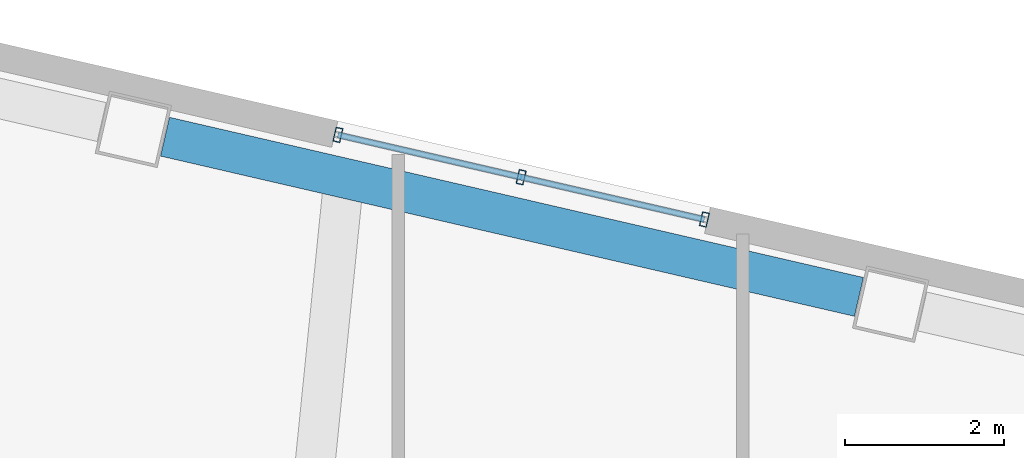
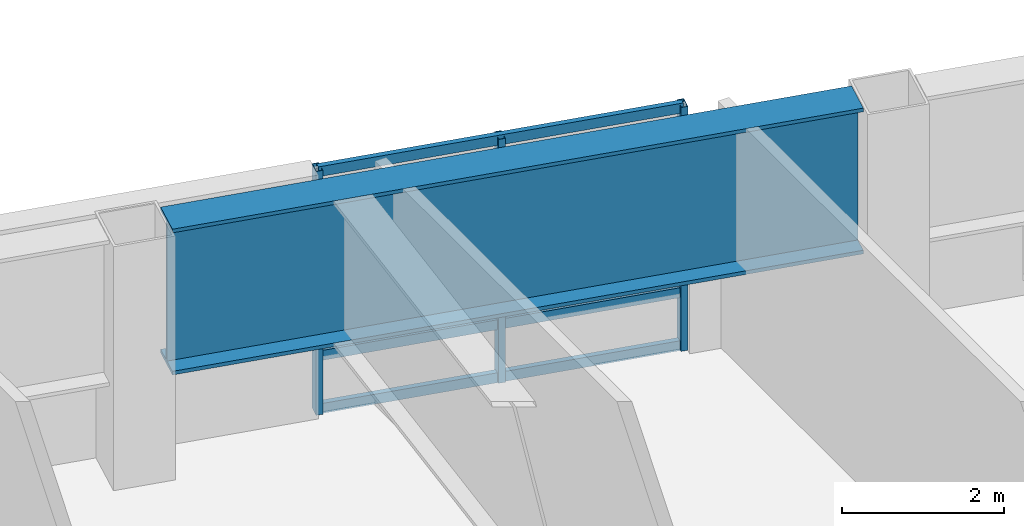
# One storey, part 6 of 19: 6 members, 1 beam, 1 element without a shape of its own.
"""IFC4 building model written with IfcOpenShell, lengths in metres."""

from ifc_helpers import new_model, si_unit, direction, frame, origin, origin_2d, place, context, subcontext, project, spatial, hollow_rectangle, i_section, extrude, material, layer, layer_set, material_profile, profile_set, type_object, element, aggregate, save


model = new_model("IFC4")

# Units and contexts
model_context = context("Model", 3, precision=1e-05, world=origin(), true_north=direction((0.0, 1.0)))
body_context = subcontext(model_context, "Body", "Model", "MODEL_VIEW")
ifc_project = project(units=[si_unit("LENGTHUNIT", "METRE"), si_unit("AREAUNIT", "SQUARE_METRE"), si_unit("VOLUMEUNIT", "CUBIC_METRE"), si_unit("PLANEANGLEUNIT", "RADIAN"), si_unit("MASSUNIT", "GRAM", prefix="KILO")], contexts=[model_context])

# Site, building, storey
site_placement = place(None, origin())
site = spatial("IfcSite", under=ifc_project, at=site_placement, CompositionType="ELEMENT")
building_placement = place(site_placement, origin())
building = spatial("IfcBuilding", under=site, at=building_placement, Name="Tavrogorsk Clinical Tower", CompositionType="ELEMENT")
storey_placement = place(building_placement, frame((0.0, 0.0, 79.39990234375)))
storey = spatial("IfcBuildingStorey", under=building, at=storey_placement, Name="L17", CompositionType="ELEMENT", Elevation=79.39990234375)

# Curtain wall, members
ifc_material_1 = material(Name="Anodised aluminium and triple IGU glazing", Category="aluminium")
ifc_layer = layer(ifc_material_1, 0.179931640625)
ifc_layer_set = layer_set([ifc_layer], Name="Anodised aluminium and triple IGU glazing")
curtain_wall_type = type_object("IfcCurtainWallType", Name="CW2_NorthSlot", PredefinedType="NOTDEFINED", material=ifc_layer_set)
curtain_wall_placement = place(storey_placement, origin())
curtain_wall = element("IfcCurtainWall", 1, at=curtain_wall_placement, inside=storey, type_object=curtain_wall_type, Name="L17 Curtain Wall CW-L17-N-SLOT-1", PredefinedType="NOTDEFINED")
ifc_material_2 = material(Name="Anodised aluminium alloy AW-6060", Category="aluminium")
ifc_material_profile_1 = material_profile(ifc_material_2, hollow_rectangle(XDim=0.090087890625, YDim=0.179931640625, WallThickness=0.00634765625, at=origin_2d()), Name="RHS-180x90x6.3")
ifc_profile_set_1 = profile_set([ifc_material_profile_1], Name="Anodised aluminium alloy AW-6060")
member_type_1 = type_object("IfcMemberType", Name="CwMullion_180x90", PredefinedType="MULLION", material=ifc_profile_set_1)
member_1_placement = place(storey_placement, frame((-3.879638671875, 24.640625, 0.0), z_axis=(0.0, 0.0, 1.0), x_axis=(-0.974370102963, 0.224950888978, 0.0)))
member_1 = element("IfcMember", 2, at=member_1_placement, type_object=member_type_1, Name="CW-L17-N-SLOT-1 Mullion 1", PredefinedType="MULLION", context=body_context, shape_type="SweptSolid", body=[
    extrude(hollow_rectangle(XDim=0.090087890625, YDim=0.179931640625, WallThickness=0.00634765625, at=origin_2d()), origin(), (0.0, 0.0, 1.0), 3.68017578125),
])
member_2_placement = place(storey_placement, frame((-6.17822265625, 25.171142578125, 0.0), z_axis=(0.0, 0.0, 1.0), x_axis=(-0.974370102963, 0.224950888978, 0.0)))
member_2 = element("IfcMember", 3, at=member_2_placement, type_object=member_type_1, Name="CW-L17-N-SLOT-1 Mullion 2", PredefinedType="MULLION", context=body_context, shape_type="SweptSolid", body=[
    extrude(hollow_rectangle(XDim=0.090087890625, YDim=0.179931640625, WallThickness=0.00634765625, at=origin_2d()), origin(), (0.0, 0.0, 1.0), 3.68017578125),
])
member_3_placement = place(storey_placement, frame((-8.476806640625, 25.701904296875, 0.0), z_axis=(0.0, 0.0, 1.0), x_axis=(-0.974370102963, 0.224950888978, 0.0)))
member_3 = element("IfcMember", 4, at=member_3_placement, type_object=member_type_1, Name="CW-L17-N-SLOT-1 Mullion 3", PredefinedType="MULLION", context=body_context, shape_type="SweptSolid", body=[
    extrude(hollow_rectangle(XDim=0.090087890625, YDim=0.179931640625, WallThickness=0.00634765625, at=origin_2d()), origin(), (0.0, 0.0, 1.0), 3.68017578125),
])
ifc_material_3 = material(Name="Anodised aluminium alloy AW-6060", Category="aluminium")
ifc_material_profile_2 = material_profile(ifc_material_3, hollow_rectangle(XDim=0.074951171875, YDim=0.14990234375, WallThickness=0.0048828125, at=origin_2d()), Name="RHS-150x75x5")
ifc_profile_set_2 = profile_set([ifc_material_profile_2], Name="Anodised aluminium alloy AW-6060")
member_type_2 = type_object("IfcMemberType", Name="CwTransom_150x75", PredefinedType="USERDEFINED", material=ifc_profile_set_2)
member_4_placement = place(storey_placement, frame((-3.879638671875, 24.640625, 0.050048828125), z_axis=(-0.974372877948, 0.22493886885, 0.0), x_axis=(-0.22493886885, -0.974372877948, 0.0)))
member_4 = element("IfcMember", 5, at=member_4_placement, type_object=member_type_2, Name="CW-L17-N-SLOT-1 Transom 1", ObjectType="TRANSOM", PredefinedType="USERDEFINED", context=body_context, shape_type="SweptSolid", body=[
    extrude(hollow_rectangle(XDim=0.074951171875, YDim=0.14990234375, WallThickness=0.0048828125, at=origin_2d()), origin(), (0.0, 0.0, 1.0), 4.718017578125),
])
member_5_placement = place(storey_placement, frame((-3.879638671875, 24.640625, 0.85009765625), z_axis=(-0.974372877948, 0.22493886885, 0.0), x_axis=(-0.22493886885, -0.974372877948, 0.0)))
member_5 = element("IfcMember", 6, at=member_5_placement, type_object=member_type_2, Name="CW-L17-N-SLOT-1 Transom 2", ObjectType="TRANSOM", PredefinedType="USERDEFINED", context=body_context, shape_type="SweptSolid", body=[
    extrude(hollow_rectangle(XDim=0.074951171875, YDim=0.14990234375, WallThickness=0.0048828125, at=origin_2d()), origin(), (0.0, 0.0, 1.0), 4.718017578125),
])
member_6_placement = place(storey_placement, frame((-3.879638671875, 24.640625, 3.630126953125), z_axis=(-0.974372877948, 0.22493886885, 0.0), x_axis=(-0.22493886885, -0.974372877948, 0.0)))
member_6 = element("IfcMember", 7, at=member_6_placement, type_object=member_type_2, Name="CW-L17-N-SLOT-1 Transom 3", ObjectType="TRANSOM", PredefinedType="USERDEFINED", context=body_context, shape_type="SweptSolid", body=[
    extrude(hollow_rectangle(XDim=0.074951171875, YDim=0.14990234375, WallThickness=0.0048828125, at=origin_2d()), origin(), (0.0, 0.0, 1.0), 4.718017578125),
])
aggregate(curtain_wall, [member_1, member_2, member_3, member_4, member_5, member_6])

# Beam
ifc_material_4 = material(Name="Structural steel S440", Category="steel")
ifc_material_profile_3 = material_profile(ifc_material_4, i_section(OverallWidth=0.5, OverallDepth=2.199951171875, WebThickness=0.035888671875, FlangeThickness=0.054931640625, at=origin_2d()), Name="DK-2200x500x36x55")
ifc_profile_set_3 = profile_set([ifc_material_profile_3], Name="Structural steel S440")
beam_type = type_object("IfcBeamType", Name="TransferGirder_DK2200", PredefinedType="USERDEFINED", material=ifc_profile_set_3)
beam_placement = place(storey_placement, frame((-1.941162109375, 23.669677734375, 2.580078125), z_axis=(-0.974372766602, 0.224939351168, 0.0), x_axis=(-0.224939351168, -0.974372766602, 0.0)))
element("IfcBeam", 8, at=beam_placement, inside=storey, type_object=beam_type, Name="L17 Perimeter Spandrel N5-N6", ObjectType="GIRDER", PredefinedType="USERDEFINED", context=body_context, shape_type="SweptSolid", body=[
    extrude(i_section(OverallWidth=0.5, OverallDepth=2.199951171875, WebThickness=0.035888671875, FlangeThickness=0.054931640625, at=origin_2d()), origin(), (0.0, 0.0, 1.0), 8.9326171875),
])

save(model, "model.ifc")
